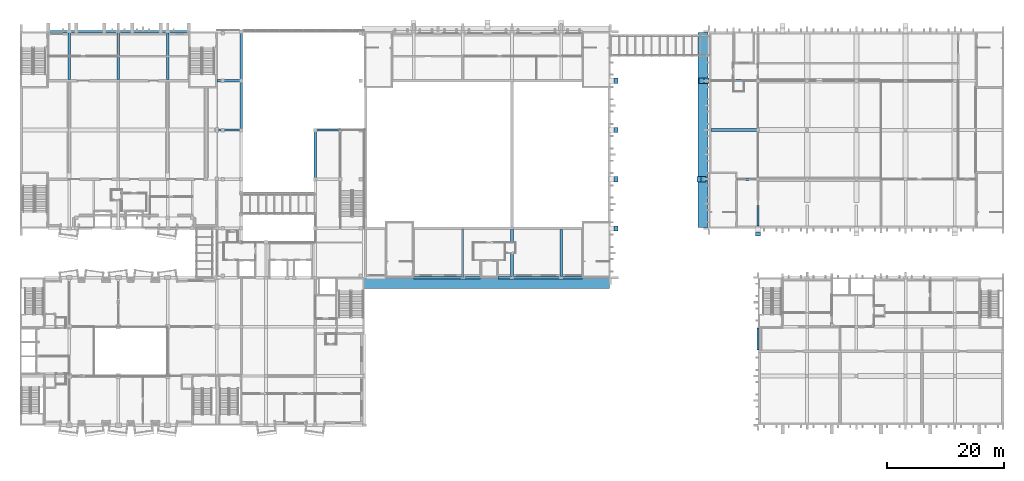
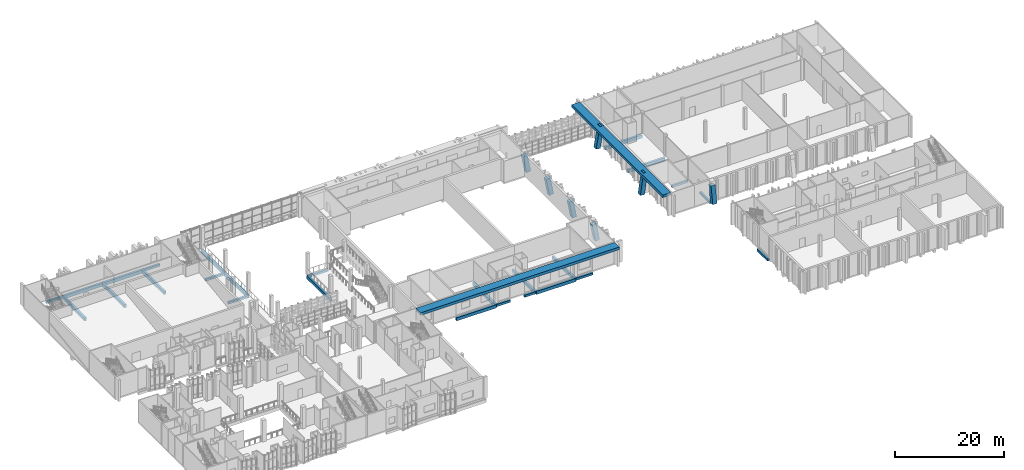
# One storey, part 18 of 86: 30 beams, 7 members.
"""IFC4 building model written with IfcOpenShell, lengths in metres."""

from ifc_helpers import new_model, si_unit, direction, frame, origin, origin_2d, place, context, subcontext, project, spatial, rectangle, extrude, material, material_profile, profile_set, type_object, element, save


model = new_model("IFC4")

# Units and contexts
model_context = context("Model", 3, precision=1e-05, world=origin(), true_north=direction((0.0, 1.0)))
body_context = subcontext(model_context, "Body", "Model", "MODEL_VIEW")
ifc_project = project(units=[si_unit("LENGTHUNIT", "METRE"), si_unit("AREAUNIT", "SQUARE_METRE"), si_unit("VOLUMEUNIT", "CUBIC_METRE"), si_unit("PLANEANGLEUNIT", "RADIAN"), si_unit("MASSUNIT", "GRAM", prefix="KILO")], contexts=[model_context])

# Site, building, storey
site_placement = place(None, origin())
site = spatial("IfcSite", under=ifc_project, at=site_placement, CompositionType="ELEMENT")
building_placement = place(site_placement, origin())
building = spatial("IfcBuilding", under=site, at=building_placement, Name="Kiln Court Media Centre", CompositionType="ELEMENT")
storey_placement = place(building_placement, frame((0.0, 0.0, 10.199951171875)))
storey = spatial("IfcBuildingStorey", under=building, at=storey_placement, Name="L02", CompositionType="ELEMENT", Elevation=10.199951171875)

# Beams
ifc_material_1 = material(Name="Concrete C30/37", Category="concrete")
ifc_material_profile_1 = material_profile(ifc_material_1, rectangle(XDim=0.39990234375, YDim=0.5, at=origin_2d()), Name="RC 400x500")
ifc_profile_set_1 = profile_set([ifc_material_profile_1], Name="Concrete C30/37")
beam_type_1 = type_object("IfcBeamType", Name="Concrete C30/37 beam 400x500", PredefinedType="BEAM", material=ifc_profile_set_1)
beam_1_placement = place(storey_placement, frame((4.800048828125, 67.199951171875, -0.550048828125), z_axis=(1.0, 0.0, 0.0), x_axis=(0.0, 1.0, 0.0)))
element("IfcBeam", 1, at=beam_1_placement, inside=storey, type_object=beam_type_1, Name="L02-B-1073", PredefinedType="BEAM", context=body_context, shape_type="SweptSolid", body=[
    extrude(rectangle(XDim=0.39990234375, YDim=0.5, at=origin_2d()), origin(), (0.0, 0.0, 1.0), 3.599853515625),
])
beam_2_placement = place(storey_placement, frame((25.199951171875, 67.199951171875, -0.550048828125), z_axis=(1.0, 0.0, 0.0), x_axis=(0.0, 1.0, 0.0)))
element("IfcBeam", 2, at=beam_2_placement, inside=storey, type_object=beam_type_1, Name="L02-B-1076", PredefinedType="BEAM", context=body_context, shape_type="SweptSolid", body=[
    extrude(rectangle(XDim=0.39990234375, YDim=0.5, at=origin_2d()), origin(), (0.0, 0.0, 1.0), 3.60009765625),
])
beam_3_placement = place(storey_placement, frame((33.60009765625, 50.39990234375, -0.550048828125), z_axis=(1.0, 0.0, 0.0), x_axis=(0.0, 1.0, 0.0)))
element("IfcBeam", 3, at=beam_3_placement, inside=storey, type_object=beam_type_1, Name="L02-B-1089", PredefinedType="BEAM", context=body_context, shape_type="SweptSolid", body=[
    extrude(rectangle(XDim=0.39990234375, YDim=0.5, at=origin_2d()), origin(), (0.0, 0.0, 1.0), 1.0498046875),
])
beam_4_placement = place(storey_placement, frame((34.64990234375, 50.39990234375, -0.550048828125), z_axis=(1.0, 0.0, 0.0), x_axis=(0.0, 1.0, 0.0)))
element("IfcBeam", 4, at=beam_4_placement, inside=storey, type_object=beam_type_1, Name="L02-B-1090", PredefinedType="BEAM", context=body_context, shape_type="SweptSolid", body=[
    extrude(rectangle(XDim=0.39990234375, YDim=0.5, at=origin_2d()), origin(), (0.0, 0.0, 1.0), 3.151123046875),
])
beam_5_placement = place(storey_placement, frame((50.39990234375, 50.39990234375, -0.550048828125), z_axis=(1.0, 0.0, 0.0), x_axis=(0.0, 1.0, 0.0)))
element("IfcBeam", 5, at=beam_5_placement, inside=storey, type_object=beam_type_1, Name="L02-B-1091", PredefinedType="BEAM", context=body_context, shape_type="SweptSolid", body=[
    extrude(rectangle(XDim=0.39990234375, YDim=0.5, at=origin_2d()), origin(), (0.0, 0.0, 1.0), 4.2509765625),
])
beam_6_placement = place(storey_placement, frame((33.60009765625, 58.800048828125, -0.550048828125), z_axis=(1.0, 0.0, 0.0), x_axis=(0.0, 1.0, 0.0)))
element("IfcBeam", 6, at=beam_6_placement, inside=storey, type_object=beam_type_1, Name="L02-B-1092", PredefinedType="BEAM", context=body_context, shape_type="SweptSolid", body=[
    extrude(rectangle(XDim=0.39990234375, YDim=0.5, at=origin_2d()), origin(), (0.0, 0.0, 1.0), 1.0498046875),
])
beam_7_placement = place(storey_placement, frame((34.64990234375, 58.800048828125, -0.550048828125), z_axis=(1.0, 0.0, 0.0), x_axis=(0.0, 1.0, 0.0)))
element("IfcBeam", 7, at=beam_7_placement, inside=storey, type_object=beam_type_1, Name="L02-B-1093", PredefinedType="BEAM", context=body_context, shape_type="SweptSolid", body=[
    extrude(rectangle(XDim=0.39990234375, YDim=0.5, at=origin_2d()), origin(), (0.0, 0.0, 1.0), 3.151123046875),
])
beam_8_placement = place(storey_placement, frame((75.60009765625, 25.199951171875, -0.550048828125), z_axis=(1.0, 0.0, 0.0), x_axis=(0.0, 1.0, 0.0)))
element("IfcBeam", 8, at=beam_8_placement, inside=storey, type_object=beam_type_1, Name="L02-B-1113", PredefinedType="BEAM", context=body_context, shape_type="SweptSolid", body=[
    extrude(rectangle(XDim=0.39990234375, YDim=0.5, at=origin_2d()), origin(), (0.0, 0.0, 1.0), 3.0),
])
beam_9_placement = place(storey_placement, frame((81.60009765625, 25.199951171875, -0.550048828125), z_axis=(1.0, 0.0, 0.0), x_axis=(0.0, 1.0, 0.0)))
element("IfcBeam", 9, at=beam_9_placement, inside=storey, type_object=beam_type_1, Name="L02-B-1114", PredefinedType="BEAM", context=body_context, shape_type="SweptSolid", body=[
    extrude(rectangle(XDim=0.39990234375, YDim=0.5, at=origin_2d()), origin(), (0.0, 0.0, 1.0), 2.39990234375),
])
for number, where, z_axis, x_axis, name in (
    (10, (92.39990234375, 25.199951171875, -0.550048828125), (1.0, 0.0, 0.0), (0.0, 1.0, 0.0), "L02-B-1116"),
    (11, (126.0, 34.0, -0.550048828125), (0.0, 1.0, 0.0), (-1.0, 0.0, 0.0), "L02-B-1122"),
):
    element("IfcBeam", number, at=place(storey_placement, frame(where, z_axis=z_axis, x_axis=x_axis)), inside=storey, type_object=beam_type_1, Name=name, PredefinedType="BEAM", context=body_context, shape_type="SweptSolid", body=[
        extrude(rectangle(XDim=0.39990234375, YDim=0.5, at=origin_2d()), origin(), (0.0, 0.0, 1.0), 3.60009765625),
    ])
beam_10_placement = place(storey_placement, frame((122.39990234375, 42.0, -0.550048828125), z_axis=(1.0, 0.0, 0.0), x_axis=(0.0, 1.0, 0.0)))
element("IfcBeam", 12, at=beam_10_placement, inside=storey, type_object=beam_type_1, Name="L02-B-1131", PredefinedType="BEAM", context=body_context, shape_type="SweptSolid", body=[
    extrude(rectangle(XDim=0.39990234375, YDim=0.5, at=origin_2d()), origin(), (0.0, 0.0, 1.0), 3.400146484375),
])
beam_11_placement = place(storey_placement, frame((126.0, 12.800048828125, -0.550048828125), z_axis=(0.0, 1.0, 0.0), x_axis=(-1.0, 0.0, 0.0)))
element("IfcBeam", 13, at=beam_11_placement, inside=storey, type_object=beam_type_1, Name="L02-B-1142", PredefinedType="BEAM", context=body_context, shape_type="SweptSolid", body=[
    extrude(rectangle(XDim=0.39990234375, YDim=0.5, at=origin_2d()), origin(), (0.0, 0.0, 1.0), 3.800048828125),
])
ifc_material_2 = material(Name="Concrete C30/37", Category="concrete")
ifc_material_profile_2 = material_profile(ifc_material_2, rectangle(XDim=0.449951171875, YDim=0.699951171875, at=origin_2d()), Name="RC 450x700")
ifc_profile_set_2 = profile_set([ifc_material_profile_2], Name="Concrete C30/37")
beam_type_2 = type_object("IfcBeamType", Name="Concrete C30/37 beam 450x700", PredefinedType="BEAM", material=ifc_profile_set_2)
for number, where, z_axis, x_axis, name in (
    (14, (8.39990234375, 59.0, -0.64990234375), (0.0, 1.0, 0.0), (-1.0, 0.0, 0.0), "L02-B-1055"),
    (15, (16.800048828125, 59.0, -0.64990234375), (0.0, 1.0, 0.0), (-1.0, 0.0, 0.0), "L02-B-1057"),
    (16, (25.199951171875, 59.0, -0.64990234375), (0.0, 1.0, 0.0), (-1.0, 0.0, 0.0), "L02-B-1061"),
):
    element("IfcBeam", number, at=place(storey_placement, frame(where, z_axis=z_axis, x_axis=x_axis)), inside=storey, type_object=beam_type_2, Name=name, PredefinedType="BEAM", context=body_context, shape_type="SweptSolid", body=[
        extrude(rectangle(XDim=0.449951171875, YDim=0.699951171875, at=origin_2d()), origin(), (0.0, 0.0, 1.0), 8.199951171875),
    ])
beam_12_placement = place(storey_placement, frame((8.39990234375, 67.199951171875, -0.64990234375), z_axis=(1.0, 0.0, 0.0), x_axis=(0.0, 1.0, 0.0)))
element("IfcBeam", 17, at=beam_12_placement, inside=storey, type_object=beam_type_2, Name="L02-B-1074", PredefinedType="BEAM", context=body_context, shape_type="SweptSolid", body=[
    extrude(rectangle(XDim=0.449951171875, YDim=0.699951171875, at=origin_2d()), origin(), (0.0, 0.0, 1.0), 8.400146484375),
])
for number, where, z_axis, x_axis, name in (
    (18, (16.800048828125, 67.199951171875, -0.64990234375), (1.0, 0.0, 0.0), (0.0, 1.0, 0.0), "L02-B-1075"),
    (19, (50.39990234375, 42.0, -0.64990234375), (0.0, 1.0, 0.0), (-1.0, 0.0, 0.0), "L02-B-1082"),
    (20, (37.800048828125, 67.199951171875, -0.64990234375), (0.0, -1.0, 0.0), (1.0, 0.0, 0.0), "L02-B-1096"),
):
    element("IfcBeam", number, at=place(storey_placement, frame(where, z_axis=z_axis, x_axis=x_axis)), inside=storey, type_object=beam_type_2, Name=name, PredefinedType="BEAM", context=body_context, shape_type="SweptSolid", body=[
        extrude(rectangle(XDim=0.449951171875, YDim=0.699951171875, at=origin_2d()), origin(), (0.0, 0.0, 1.0), 8.39990234375),
    ])
beam_13_placement = place(storey_placement, frame((37.800048828125, 58.800048828125, -0.64990234375), z_axis=(0.0, -1.0, 0.0), x_axis=(1.0, 0.0, 0.0)))
element("IfcBeam", 21, at=beam_13_placement, inside=storey, type_object=beam_type_2, Name="L02-B-1097", PredefinedType="BEAM", context=body_context, shape_type="SweptSolid", body=[
    extrude(rectangle(XDim=0.449951171875, YDim=0.699951171875, at=origin_2d()), origin(), (0.0, 0.0, 1.0), 8.400146484375),
])
for number, where, z_axis, x_axis, name in (
    (22, (75.60009765625, 25.199951171875, -0.64990234375), (0.0, 1.0, 0.0), (-1.0, 0.0, 0.0), "L02-B-1105"),
    (23, (84.0, 25.199951171875, -0.64990234375), (0.0, 1.0, 0.0), (-1.0, 0.0, 0.0), "L02-B-1107"),
    (24, (92.39990234375, 25.199951171875, -0.64990234375), (0.0, 1.0, 0.0), (-1.0, 0.0, 0.0), "L02-B-1109"),
):
    element("IfcBeam", number, at=place(storey_placement, frame(where, z_axis=z_axis, x_axis=x_axis)), inside=storey, type_object=beam_type_2, Name=name, PredefinedType="BEAM", context=body_context, shape_type="SweptSolid", body=[
        extrude(rectangle(XDim=0.449951171875, YDim=0.699951171875, at=origin_2d()), origin(), (0.0, 0.0, 1.0), 8.175048828125),
    ])
beam_14_placement = place(storey_placement, frame((67.199951171875, 25.199951171875, -0.64990234375), z_axis=(1.0, 0.0, 0.0), x_axis=(0.0, 1.0, 0.0)))
element("IfcBeam", 25, at=beam_14_placement, inside=storey, type_object=beam_type_2, Name="L02-B-1112", PredefinedType="BEAM", context=body_context, shape_type="SweptSolid", body=[
    extrude(rectangle(XDim=0.449951171875, YDim=0.699951171875, at=origin_2d()), origin(), (0.0, 0.0, 1.0), 8.400146484375),
])
beam_15_placement = place(storey_placement, frame((84.0, 25.199951171875, -0.64990234375), z_axis=(1.0, 0.0, 0.0), x_axis=(0.0, 1.0, 0.0)))
element("IfcBeam", 26, at=beam_15_placement, inside=storey, type_object=beam_type_2, Name="L02-B-1115", PredefinedType="BEAM", context=body_context, shape_type="SweptSolid", body=[
    extrude(rectangle(XDim=0.449951171875, YDim=0.699951171875, at=origin_2d()), origin(), (0.0, 0.0, 1.0), 8.39990234375),
])
for number, where, z_axis, x_axis, name in (
    (27, (118.0, 50.39990234375, -0.64990234375), (1.0, 0.0, 0.0), (0.0, 1.0, 0.0), "L02-B-1134"),
    (28, (118.0, 58.800048828125, -0.64990234375), (1.0, 0.0, 0.0), (0.0, 1.0, 0.0), "L02-B-1138"),
):
    element("IfcBeam", number, at=place(storey_placement, frame(where, z_axis=z_axis, x_axis=x_axis)), inside=storey, type_object=beam_type_2, Name=name, PredefinedType="BEAM", context=body_context, shape_type="SweptSolid", body=[
        extrude(rectangle(XDim=0.449951171875, YDim=0.699951171875, at=origin_2d()), origin(), (0.0, 0.0, 1.0), 7.800048828125),
    ])
ifc_material_3 = material(Name="Concrete C40/50", Category="concrete")
ifc_material_profile_3 = material_profile(ifc_material_3, rectangle(XDim=1.699951171875, YDim=0.60009765625, at=origin_2d()), Name="RC 1700x600")
ifc_profile_set_3 = profile_set([ifc_material_profile_3], Name="Concrete C40/50")
beam_type_3 = type_object("IfcBeamType", Name="Concrete C40/50 gable rib base beam 1700x600", PredefinedType="BEAM", material=ifc_profile_set_3)
beam_16_placement = place(storey_placement, frame((58.64990234375, 24.2236328125, 4.5), z_axis=(1.0, 0.0, 0.0), x_axis=(0.0, 1.0, 0.0)))
element("IfcBeam", 29, at=beam_16_placement, inside=storey, type_object=beam_type_3, Name="V1 S gable rib base beam", PredefinedType="BEAM", context=body_context, shape_type="SweptSolid", body=[
    extrude(rectangle(XDim=1.699951171875, YDim=0.60009765625, at=origin_2d()), origin(), (0.0, 0.0, 1.0), 42.0),
])
beam_17_placement = place(storey_placement, frame((116.636474609375, 33.72509765625, 4.5), z_axis=(0.0, 1.0, 0.0), x_axis=(-1.0, 0.0, 0.0)))
element("IfcBeam", 30, at=beam_17_placement, inside=storey, type_object=beam_type_3, Name="V2 W gable rib base beam", PredefinedType="BEAM", context=body_context, shape_type="SweptSolid", body=[
    extrude(rectangle(XDim=1.699951171875, YDim=0.60009765625, at=origin_2d()), origin(), (0.0, 0.0, 1.0), 33.349853515625),
])

# Members
ifc_material_4 = material(Name="Concrete C40/50", Category="concrete")
ifc_material_profile_4 = material_profile(ifc_material_4, rectangle(XDim=0.89990234375, YDim=0.89990234375, at=origin_2d()), Name="RC 900x900")
ifc_profile_set_4 = profile_set([ifc_material_profile_4], Name="Concrete C40/50")
member_type = type_object("IfcMemberType", Name="Concrete C40/50 raked column 900x900", PredefinedType="STRUT", material=ifc_profile_set_4)
for number, where, z_axis, x_axis, name in (
    (31, (101.696044921875, 33.60009765625, 0.0), (-0.18346863254, 0.0, 0.98302556471), (0.0, -1.0, 0.0), "L02-M-1000"),
    (32, (101.696044921875, 42.0, 0.0), (-0.18346863254, 0.0, 0.98302556471), (0.0, -1.0, 0.0), "L02-M-1001"),
    (33, (101.696044921875, 50.39990234375, 0.0), (-0.18346863254, 0.0, 0.98302556471), (0.0, -1.0, 0.0), "L02-M-1002"),
    (34, (101.696044921875, 58.800048828125, 0.0), (-0.18346863254, 0.0, 0.98302556471), (0.0, -1.0, 0.0), "L02-M-1003"),
):
    element("IfcMember", number, at=place(storey_placement, frame(where, z_axis=z_axis, x_axis=x_axis)), inside=storey, type_object=member_type, Name=name, PredefinedType="STRUT", context=body_context, shape_type="SweptSolid", body=[
        extrude(rectangle(XDim=0.89990234375, YDim=0.89990234375, at=origin_2d()), origin(), (0.0, 0.0, 1.0), 3.86572265625),
    ])
member_1_placement = place(storey_placement, frame((126.0, 32.76806640625, 0.0), z_axis=(0.0, 0.170790820623, 0.985307310229), x_axis=(-1.0, 0.0, 0.0)))
element("IfcMember", 35, at=member_1_placement, inside=storey, type_object=member_type, Name="L02-M-1007", PredefinedType="STRUT", context=body_context, shape_type="SweptSolid", body=[
    extrude(rectangle(XDim=0.89990234375, YDim=0.89990234375, at=origin_2d()), origin(), (0.0, 0.0, 1.0), 3.856689453125),
])
member_2_placement = place(storey_placement, frame((116.024658203125, 42.0, 0.0), z_axis=(0.138324729522, 0.0, 0.990386929035), x_axis=(0.0, 1.0, 0.0)))
element("IfcMember", 36, at=member_2_placement, inside=storey, type_object=member_type, Name="L02-M-1012", PredefinedType="STRUT", context=body_context, shape_type="SweptSolid", body=[
    extrude(rectangle(XDim=0.89990234375, YDim=0.89990234375, at=origin_2d()), origin(), (0.0, 0.0, 1.0), 4.8466796875),
])
member_3_placement = place(storey_placement, frame((116.36181640625, 58.800048828125, 0.0), z_axis=(0.170158670348, 0.0, 0.985416676795), x_axis=(0.0, 1.0, 0.0)))
element("IfcMember", 37, at=member_3_placement, inside=storey, type_object=member_type, Name="L02-M-1013", PredefinedType="STRUT", context=body_context, shape_type="SweptSolid", body=[
    extrude(rectangle(XDim=0.89990234375, YDim=0.89990234375, at=origin_2d()), origin(), (0.0, 0.0, 1.0), 4.87109375),
])

save(model, "model.ifc")
